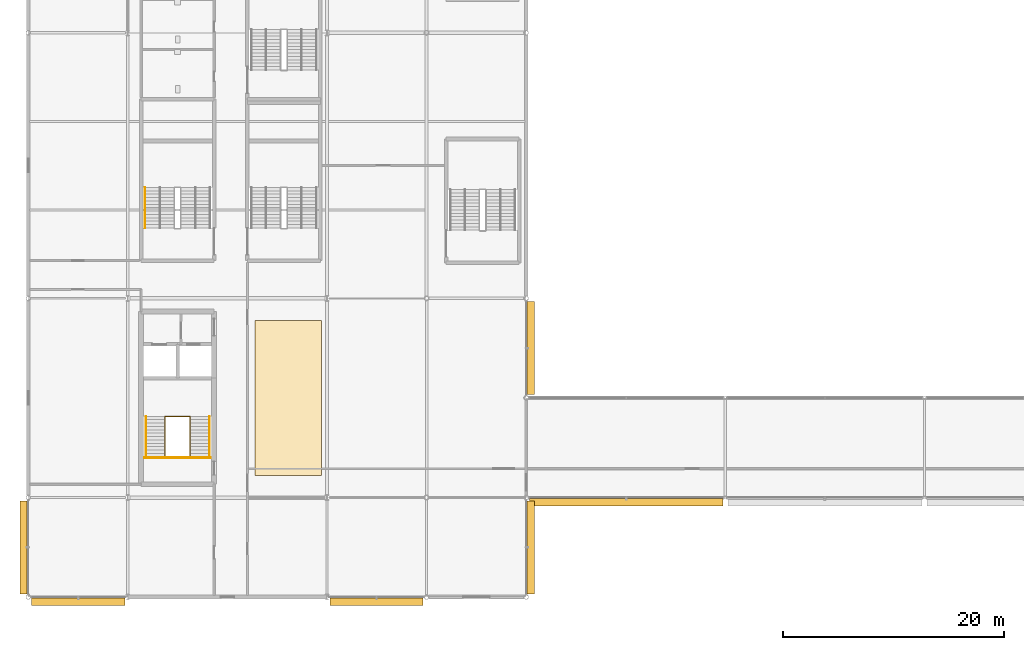
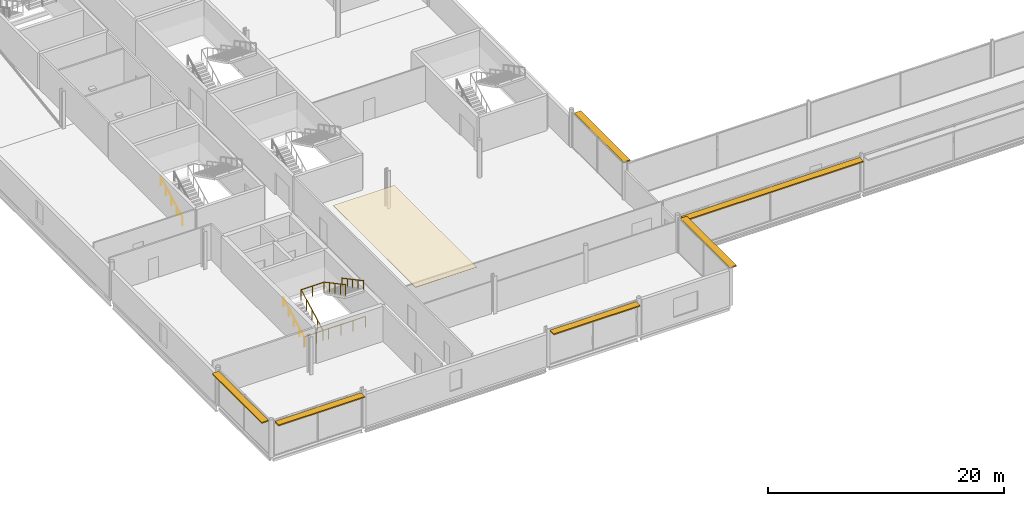
# One storey, part 87 of 96: 6 shading devices, 5 railings, 1 covering.
"""IFC4 building model written with IfcOpenShell, lengths in metres."""

from ifc_helpers import new_model, si_unit, direction, frame, origin, origin_2d, place, context, subcontext, project, spatial, polyline, rectangle, circle, outline, extrude, material, layer, layer_set, type_object, element, save


model = new_model("IFC4")

# Units and contexts
model_context = context("Model", 3, precision=1e-05, world=origin(), true_north=direction((0.0, 1.0)))
body_context = subcontext(model_context, "Body", "Model", "MODEL_VIEW")
ifc_project = project(units=[si_unit("LENGTHUNIT", "METRE"), si_unit("AREAUNIT", "SQUARE_METRE"), si_unit("VOLUMEUNIT", "CUBIC_METRE"), si_unit("PLANEANGLEUNIT", "RADIAN"), si_unit("MASSUNIT", "GRAM", prefix="KILO")], contexts=[model_context])

# Site, building, storey
site_placement = place(None, origin())
site = spatial("IfcSite", under=ifc_project, at=site_placement, CompositionType="ELEMENT")
building_placement = place(site_placement, origin())
building = spatial("IfcBuilding", under=site, at=building_placement, Name="Kisiwana Market Hall", CompositionType="ELEMENT")
storey_placement = place(building_placement, frame((0.0, 0.0, 25.5)))
storey = spatial("IfcBuildingStorey", under=building, at=storey_placement, Name="L05", CompositionType="ELEMENT", Elevation=25.5)

# Covering
ifc_material_1 = material(Name="Mineral-fibre acoustic ceiling board")
ifc_layer = layer(ifc_material_1, 0.02490234375)
ifc_layer_set = layer_set([ifc_layer], Name="COV-CEIL-AC")
covering_type = type_object("IfcCoveringType", Name="COV-CEIL-AC", PredefinedType="CEILING", material=ifc_layer_set)
covering_placement = place(storey_placement, frame((0.0, 0.0, 3.6298828125)))
element("IfcCovering", 1, at=covering_placement, inside=storey, type_object=covering_type, Name="Acoustic ceiling grid L05-015", PredefinedType="CEILING", context=body_context, shape_type="SweptSolid", body=[
    extrude(outline(polyline([(20.5, 20.0), (26.5, 20.0), (26.5, 34.0), (20.5, 34.0), (20.5, 20.0)])), origin(), (0.0, 0.0, 1.0), 0.025146484375),
])

# Railings
ifc_material_2 = material(Name="Steel S275", Category="steel")
railing_type_1 = type_object("IfcRailingType", Name="RL-GUARD-1100", PredefinedType="GUARDRAIL", material=ifc_material_2)
railing_1_placement = place(storey_placement, frame((12.375, 21.674560546875, 0.0)))
element("IfcRailing", 2, at=railing_1_placement, inside=storey, type_object=railing_type_1, Name="Stair ST-W2-L05 inner-well guardrail (RL-851)", PredefinedType="GUARDRAIL", context=body_context, shape_type="SweptSolid", body=[
    extrude(circle(Radius=0.02392578125, at=origin_2d()), frame((0.0, 0.0, 1.076171875), z_axis=(0.0, 0.88255331184, 0.47021234752), x_axis=(-1.0, 0.0, 0.0)), (0.0, 0.0, 1.0), 4.14697265625),
    extrude(circle(Radius=0.02392578125, at=origin_2d()), frame((0.0, 3.659912109375, 3.02587890625), z_axis=(1.0, 0.0, 0.0), x_axis=(0.0, 1.0, 0.0)), (0.0, 0.0, 1.0), 2.25),
    extrude(circle(Radius=0.02392578125, at=origin_2d()), frame((2.25, 3.659912109375, 3.02587890625), z_axis=(0.0, -0.88255331184, 0.47021234752), x_axis=(1.0, 0.0, 0.0)), (0.0, 0.0, 1.0), 4.14697265625),
    extrude(circle(Radius=0.02099609375, at=origin_2d()), origin(), (0.0, 0.0, 1.0), 1.052001953125),
    extrude(circle(Radius=0.02099609375, at=origin_2d()), frame((0.0, 0.9150390625, 0.487548828125)), (0.0, 0.0, 1.0), 1.052001953125),
    extrude(circle(Radius=0.02099609375, at=origin_2d()), frame((0.0, 1.830078125, 0.97509765625)), (0.0, 0.0, 1.0), 1.052001953125),
    extrude(circle(Radius=0.02099609375, at=origin_2d()), frame((0.0, 2.744873046875, 1.46240234375)), (0.0, 0.0, 1.0), 1.052001953125),
    extrude(circle(Radius=0.02099609375, at=origin_2d()), frame((0.0, 3.659912109375, 1.949951171875)), (0.0, 0.0, 1.0), 1.052001953125),
    extrude(circle(Radius=0.02099609375, at=origin_2d()), frame((1.125, 3.659912109375, 1.949951171875)), (0.0, 0.0, 1.0), 1.052001953125),
    extrude(circle(Radius=0.02099609375, at=origin_2d()), frame((2.25, 3.659912109375, 1.949951171875)), (0.0, 0.0, 1.0), 1.052001953125),
    extrude(circle(Radius=0.02099609375, at=origin_2d()), frame((2.25, 2.744873046875, 2.4375)), (0.0, 0.0, 1.0), 1.052001953125),
    extrude(circle(Radius=0.02099609375, at=origin_2d()), frame((2.25, 1.830078125, 2.9248046875)), (0.0, 0.0, 1.0), 1.052001953125),
    extrude(circle(Radius=0.02099609375, at=origin_2d()), frame((2.25, 0.9150390625, 3.412353515625)), (0.0, 0.0, 1.0), 1.052001953125),
    extrude(circle(Radius=0.02099609375, at=origin_2d()), frame((2.25, 0.0, 3.89990234375)), (0.0, 0.0, 1.0), 1.052001953125),
])
railing_2_placement = place(storey_placement, frame((10.5048828125, 21.594482421875, 0.0)))
element("IfcRailing", 3, at=railing_2_placement, inside=storey, type_object=railing_type_1, Name="Stair ST-W2-L05 landing edge guardrail (RL-854)", PredefinedType="GUARDRAIL", context=body_context, shape_type="SweptSolid", body=[
    extrude(circle(Radius=0.02392578125, at=origin_2d()), frame((0.0, 0.0, 1.076171875), z_axis=(1.0, 0.0, 0.0), x_axis=(0.0, 1.0, 0.0)), (0.0, 0.0, 1.0), 5.990234375),
    extrude(circle(Radius=0.02099609375, at=origin_2d()), origin(), (0.0, 0.0, 1.0), 1.052001953125),
    extrude(circle(Radius=0.02099609375, at=origin_2d()), frame((1.197998046875, 0.0, 0.0)), (0.0, 0.0, 1.0), 1.052001953125),
    extrude(circle(Radius=0.02099609375, at=origin_2d()), frame((2.39599609375, 0.0, 0.0)), (0.0, 0.0, 1.0), 1.052001953125),
    extrude(circle(Radius=0.02099609375, at=origin_2d()), frame((3.59423828125, 0.0, 0.0)), (0.0, 0.0, 1.0), 1.052001953125),
    extrude(circle(Radius=0.02099609375, at=origin_2d()), frame((4.792236328125, 0.0, 0.0)), (0.0, 0.0, 1.0), 1.052001953125),
    extrude(circle(Radius=0.02099609375, at=origin_2d()), frame((5.990234375, 0.0, 0.0)), (0.0, 0.0, 1.0), 1.052001953125),
])
ifc_material_3 = material(Name="Steel S275", Category="steel")
railing_type_2 = type_object("IfcRailingType", Name="RL-HAND-900", PredefinedType="HANDRAIL", material=ifc_material_3)
railing_3_placement = place(storey_placement, frame((10.635009765625, 21.674560546875, 0.0)))
element("IfcRailing", 4, at=railing_3_placement, inside=storey, type_object=railing_type_2, Name="Stair ST-W2-L05 flight 1 handrail (RL-852)", PredefinedType="HANDRAIL", context=body_context, shape_type="SweptSolid", body=[
    extrude(circle(Radius=0.02392578125, at=origin_2d()), frame((0.0, 0.0, 0.8759765625), z_axis=(0.0, 0.88255331184, 0.47021234752), x_axis=(-1.0, 0.0, 0.0)), (0.0, 0.0, 1.0), 4.14697265625),
    extrude(circle(Radius=0.02099609375, at=origin_2d()), origin(), (0.0, 0.0, 1.0), 0.851806640625),
    extrude(circle(Radius=0.02099609375, at=origin_2d()), frame((0.0, 0.9150390625, 0.487548828125)), (0.0, 0.0, 1.0), 0.851806640625),
    extrude(circle(Radius=0.02099609375, at=origin_2d()), frame((0.0, 1.830078125, 0.97509765625)), (0.0, 0.0, 1.0), 0.851806640625),
    extrude(circle(Radius=0.02099609375, at=origin_2d()), frame((0.0, 2.744873046875, 1.46240234375)), (0.0, 0.0, 1.0), 0.851806640625),
    extrude(circle(Radius=0.02099609375, at=origin_2d()), frame((0.0, 3.659912109375, 1.949951171875)), (0.0, 0.0, 1.0), 0.851806640625),
])
railing_4_placement = place(storey_placement, frame((16.364990234375, 25.33447265625, 1.949951171875)))
element("IfcRailing", 5, at=railing_4_placement, inside=storey, type_object=railing_type_2, Name="Stair ST-W2-L05 flight 2 handrail (RL-853)", PredefinedType="HANDRAIL", context=body_context, shape_type="SweptSolid", body=[
    extrude(circle(Radius=0.02392578125, at=origin_2d()), frame((0.0, 0.0, 0.8759765625), z_axis=(0.0, -0.88255331184, 0.47021234752), x_axis=(1.0, 0.0, 0.0)), (0.0, 0.0, 1.0), 4.14697265625),
    extrude(circle(Radius=0.02099609375, at=origin_2d()), origin(), (0.0, 0.0, 1.0), 0.851806640625),
    extrude(circle(Radius=0.02099609375, at=origin_2d()), frame((0.0, -0.9150390625, 0.487548828125)), (0.0, 0.0, 1.0), 0.851806640625),
    extrude(circle(Radius=0.02099609375, at=origin_2d()), frame((0.0, -1.830078125, 0.97509765625)), (0.0, 0.0, 1.0), 0.851806640625),
    extrude(circle(Radius=0.02099609375, at=origin_2d()), frame((0.0, -2.744873046875, 1.46240234375)), (0.0, 0.0, 1.0), 0.851806640625),
    extrude(circle(Radius=0.02099609375, at=origin_2d()), frame((0.0, -3.659912109375, 1.949951171875)), (0.0, 0.0, 1.0), 0.851806640625),
])
railing_5_placement = place(storey_placement, frame((10.570068359375, 42.360107421875, 0.0)))
element("IfcRailing", 6, at=railing_5_placement, inside=storey, type_object=railing_type_2, Name="Stair ST-W3-L05 flight 1 handrail (RL-868)", PredefinedType="HANDRAIL", context=body_context, shape_type="SweptSolid", body=[
    extrude(circle(Radius=0.02392578125, at=origin_2d()), frame((0.0, 0.0, 0.8759765625), z_axis=(0.0, 0.88255331184, 0.47021234752), x_axis=(-1.0, 0.0, 0.0)), (0.0, 0.0, 1.0), 4.14697265625),
    extrude(circle(Radius=0.02099609375, at=origin_2d()), origin(), (0.0, 0.0, 1.0), 0.851806640625),
    extrude(circle(Radius=0.02099609375, at=origin_2d()), frame((0.0, 0.9150390625, 0.487548828125)), (0.0, 0.0, 1.0), 0.851806640625),
    extrude(circle(Radius=0.02099609375, at=origin_2d()), frame((0.0, 1.830078125, 0.97509765625)), (0.0, 0.0, 1.0), 0.851806640625),
    extrude(circle(Radius=0.02099609375, at=origin_2d()), frame((0.0, 2.744873046875, 1.46240234375)), (0.0, 0.0, 1.0), 0.851806640625),
    extrude(circle(Radius=0.02099609375, at=origin_2d()), frame((0.0, 3.659912109375, 1.949951171875)), (0.0, 0.0, 1.0), 0.851806640625),
])

# Shading devices
ifc_material_4 = material(Name="Aluminium alloy 6063-T6", Category="aluminium")
shading_device_type = type_object("IfcShadingDeviceType", Name="SHD-JALOUSIE-H", PredefinedType="JALOUSIE", material=ifc_material_4)
for number, where, z_axis, x_axis, name in (
    (7, (4.526611328125, 8.580078125, 3.474853515625), (0.0, 0.0, 1.0), (1.0, 0.0, 0.0), "Aluminium brise-soleil louvre SHD-099 SD-099"),
    (8, (31.473388671875, 8.580078125, 3.474853515625), (0.0, 0.0, 1.0), (1.0, 0.0, 0.0), "Aluminium brise-soleil louvre SHD-100 SD-100"),
):
    element("IfcShadingDevice", number, at=place(storey_placement, frame(where, z_axis=z_axis, x_axis=x_axis)), inside=storey, type_object=shading_device_type, Name=name, PredefinedType="JALOUSIE", context=body_context, shape_type="SweptSolid", body=[
        extrude(rectangle(XDim=8.44677734375, YDim=0.64990234375, at=origin_2d()), origin(), (0.0, 0.0, 1.0), 0.1201171875),
    ])
shading_device_placement = place(storey_placement, frame((54.0390625, 17.580078125, 3.474853515625), z_axis=(0.0, 0.0, 1.0), x_axis=(1.0, 0.0, 0.0)))
element("IfcShadingDevice", 9, at=shading_device_placement, inside=storey, type_object=shading_device_type, Name="Aluminium brise-soleil louvre SHD-102 SD-102", PredefinedType="JALOUSIE", context=body_context, shape_type="SweptSolid", body=[
    extrude(rectangle(XDim=17.4716796875, YDim=0.64990234375, at=origin_2d()), origin(), (0.0, 0.0, 1.0), 0.1201171875),
])
for number, where, z_axis, x_axis, name in (
    (10, (-0.419921875, 13.5, 3.474853515625), (0.0, 0.0, 1.0), (0.0, 1.0, 0.0), "Aluminium brise-soleil louvre SHD-114 SD-114"),
    (11, (45.419921875, 13.5, 3.474853515625), (0.0, 0.0, 1.0), (0.0, 1.0, 0.0), "Aluminium brise-soleil louvre SHD-116 SD-116"),
    (12, (45.419921875, 31.5, 3.474853515625), (0.0, 0.0, 1.0), (0.0, 1.0, 0.0), "Aluminium brise-soleil louvre SHD-117 SD-117"),
):
    element("IfcShadingDevice", number, at=place(storey_placement, frame(where, z_axis=z_axis, x_axis=x_axis)), inside=storey, type_object=shading_device_type, Name=name, PredefinedType="JALOUSIE", context=body_context, shape_type="SweptSolid", body=[
        extrude(rectangle(XDim=8.3935546875, YDim=0.64990234375, at=origin_2d()), origin(), (0.0, 0.0, 1.0), 0.1201171875),
    ])

save(model, "model.ifc")
